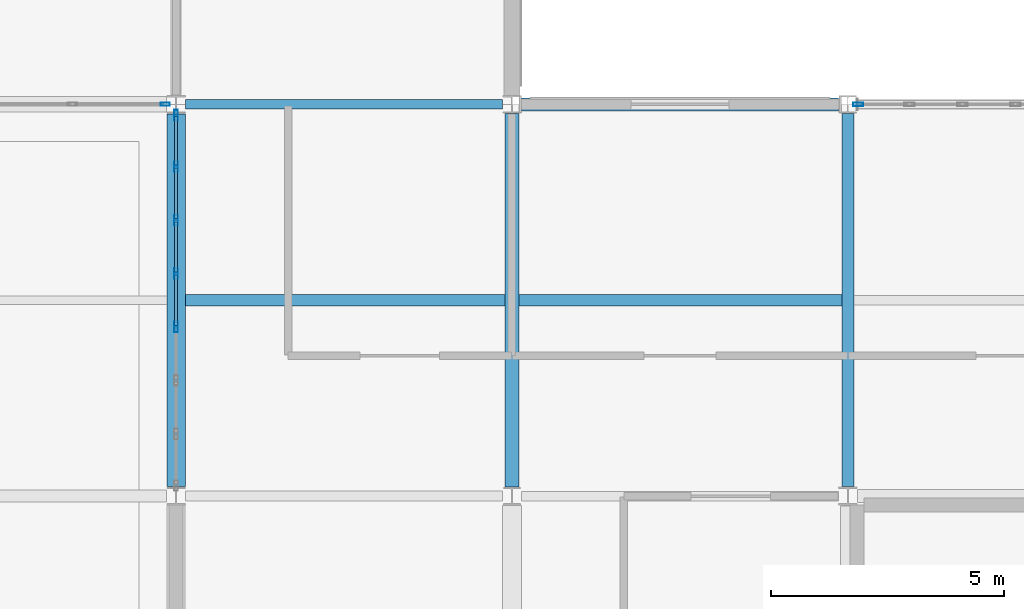
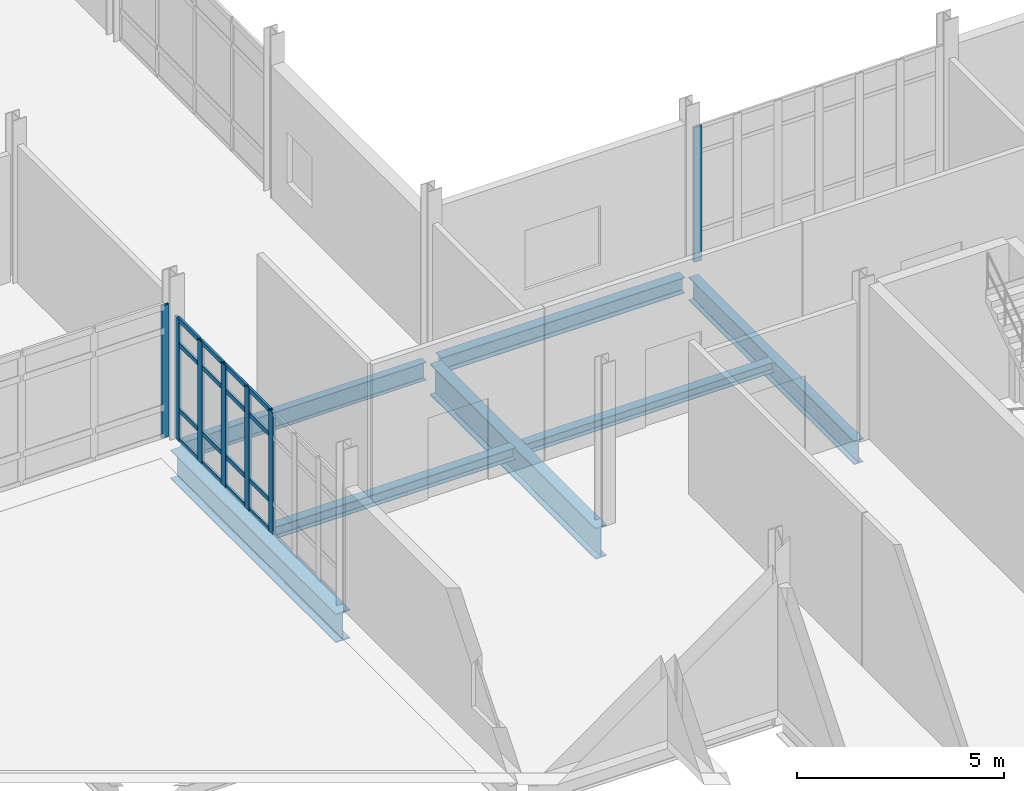
# One storey, part 70 of 186: 23 members, 7 beams, 3 elements without a shape of their own.
"""IFC4 building model written with IfcOpenShell, lengths in metres."""

import ifcopenshell
import ifcopenshell.guid

model = None  # the IFC model being written
_history = None  # IfcOwnerHistory: only IFC2X3 demands one
_inside = {}  # id of a spatial element -> (the spatial element, [elements in it])
_under = {}  # id of a project, library or spatial element -> (it, [spatial elements below it])
_declared = {}  # id of a project -> (the project, [libraries it declares])
_typed = {}  # id of a type object -> (the type object, [elements of that type])
_made_of = {}  # id of a material, layer set ... -> (it, [elements and type objects made of it])


def new_model(schema):
    """Start an empty IFC model of exactly this schema.

    Asked for "IFC4X3", IfcOpenShell would pick the latest addendum, in which some entities
    have other attributes; the version numbers below select the first issue.
    IFC2X3 requires an IfcOwnerHistory on every rooted entity: one is made here for all.
    """
    global model, _history
    if schema == "IFC4X3":
        model = ifcopenshell.file(schema_version=(4, 3, 0, 0))
    else:
        model = ifcopenshell.file(schema=schema)
    _inside.clear()
    _under.clear()
    _declared.clear()
    _typed.clear()
    _made_of.clear()
    _history = None
    if model.schema == "IFC2X3":
        org = make("IfcOrganization", Name="unknown")
        user = make(
            "IfcPersonAndOrganization",
            ThePerson=make("IfcPerson", FamilyName="unknown"),
            TheOrganization=org,
        )
        app = make(
            "IfcApplication",
            ApplicationDeveloper=org,
            Version="unknown",
            ApplicationFullName="unknown",
            ApplicationIdentifier="unknown",
        )
        _history = make(
            "IfcOwnerHistory",
            OwningUser=user,
            OwningApplication=app,
            ChangeAction="ADDED",
            CreationDate=0,
        )
    return model


def make(cls, **values):
    """One entity of the class cls with the attributes given. An attribute that is None is left unset."""
    return model.create_entity(
        cls, **{name: value for name, value in values.items() if value is not None}
    )


def rooted(cls, **values):
    """An entity with a GlobalId (a new one), such as an element, a storey or a relation."""
    return make(cls, GlobalId=ifcopenshell.guid.new(), OwnerHistory=_history, **values)


def si_unit(unit_type, name, prefix=None):
    """IfcSIUnit, for example si_unit("LENGTHUNIT", "METRE", prefix="MILLI")."""
    return make("IfcSIUnit", UnitType=unit_type, Prefix=prefix, Name=name)


def assignment(units):
    """IfcUnitAssignment: the units of a project."""
    return None if units is None else make("IfcUnitAssignment", Units=units)


def point(xyz):
    """IfcCartesianPoint."""
    return None if xyz is None else make("IfcCartesianPoint", Coordinates=xyz)


def direction(xyz):
    """IfcDirection."""
    return None if xyz is None else make("IfcDirection", DirectionRatios=xyz)


def frame(location, z_axis=None, x_axis=None):
    """IfcAxis2Placement3D, a coordinate frame: its origin and axes. An axis left out is left unset."""
    return make(
        "IfcAxis2Placement3D",
        Location=point(location),
        Axis=direction(z_axis),
        RefDirection=direction(x_axis),
    )


def frame_2d(location, x_axis=None):
    """IfcAxis2Placement2D, a coordinate frame in the plane: its origin and x axis."""
    return make(
        "IfcAxis2Placement2D", Location=point(location), RefDirection=direction(x_axis)
    )


def origin():
    """The frame at (0, 0, 0) with its axes left unset."""
    return frame((0.0, 0.0, 0.0))


def origin_2d():
    """The frame at (0, 0) in the plane with its x axis left unset."""
    return frame_2d((0.0, 0.0))


def place(relative_to, where):
    """IfcLocalPlacement: puts the frame where relative to a parent placement (None: the world)."""
    return make(
        "IfcLocalPlacement", PlacementRelTo=relative_to, RelativePlacement=where
    )


def context(
    kind, dimensions, precision=None, world=None, true_north=None, identifier=None
):
    """IfcGeometricRepresentationContext, for example the 3D "Model" context."""
    return make(
        "IfcGeometricRepresentationContext",
        ContextIdentifier=identifier,
        ContextType=kind,
        CoordinateSpaceDimension=dimensions,
        Precision=precision,
        WorldCoordinateSystem=world,
        TrueNorth=true_north,
    )


def subcontext(parent, identifier, kind, view, scale=None):
    """IfcGeometricRepresentationSubContext, for example "Body" below "Model"."""
    return make(
        "IfcGeometricRepresentationSubContext",
        ContextIdentifier=identifier,
        ContextType=kind,
        ParentContext=parent,
        TargetScale=scale,
        TargetView=view,
    )


def project(units=None, contexts=None):
    """IfcProject with its units and contexts."""
    return rooted(
        "IfcProject",
        Name="project",
        RepresentationContexts=contexts,
        UnitsInContext=assignment(units),
    )


def spatial(cls, under=None, at=None, **own):
    """A site, building, storey or space (cls), placed at a placement, below another one or the project."""
    s = rooted(cls, ObjectPlacement=at, **own)
    if under is not None:
        _under.setdefault(under.id(), (under, []))[1].append(s)
    return s


def profile(cls, at=None, kind="AREA", **sizes):
    """A parametric profile (cls). Its sizes go by their IFC names, for example OverallWidth=200.0."""
    return make(cls, ProfileType=kind, Position=at, **sizes)


def hollow_rectangle(**sizes):
    """IfcRectangleHollowProfileDef."""
    return profile("IfcRectangleHollowProfileDef", **sizes)


def i_section(**sizes):
    """IfcIShapeProfileDef."""
    return profile("IfcIShapeProfileDef", **sizes)


def extrude(swept, where, along, depth):
    """IfcExtrudedAreaSolid: the profile swept, set in the frame where, extruded along a direction by depth."""
    return make(
        "IfcExtrudedAreaSolid",
        SweptArea=swept,
        Position=where,
        ExtrudedDirection=direction(along),
        Depth=depth,
    )


def shape(context_of_items, identifier, shape_type, items):
    """IfcShapeRepresentation: the items that make up one representation, for example the "Body"."""
    return make(
        "IfcShapeRepresentation",
        ContextOfItems=context_of_items,
        RepresentationIdentifier=identifier,
        RepresentationType=shape_type,
        Items=items,
    )


def material(Name=None, Category=None):
    """IfcMaterial."""
    return make("IfcMaterial", Name=Name, Category=Category)


def layer(
    of_material, thickness, ventilated=None, Name=None, Category=None, Priority=None
):
    """IfcMaterialLayer: one layer of a wall or slab, of a material (None: an air gap)."""
    return make(
        "IfcMaterialLayer",
        Material=of_material,
        LayerThickness=thickness,
        IsVentilated=ventilated,
        Name=Name,
        Category=Category,
        Priority=Priority,
    )


def layer_set(layers, Name=None):
    """IfcMaterialLayerSet."""
    return make("IfcMaterialLayerSet", MaterialLayers=layers, LayerSetName=Name)


def material_profile(
    of_material, cross_section, Name=None, Category=None, Priority=None
):
    """IfcMaterialProfile: a cross section and its material."""
    return make(
        "IfcMaterialProfile",
        Name=Name,
        Material=of_material,
        Profile=cross_section,
        Priority=Priority,
        Category=Category,
    )


def profile_set(profiles, Name=None, composite=None):
    """IfcMaterialProfileSet."""
    return make(
        "IfcMaterialProfileSet",
        Name=Name,
        MaterialProfiles=profiles,
        CompositeProfile=composite,
    )


def made_of(thing, what):
    """Note that an element or type object is made of a material, layer set ...; save() writes the relation."""
    if what is not None:
        _made_of.setdefault(what.id(), (what, []))[1].append(thing)
    return thing


def type_object(cls, material=None, **own):
    """A type object (cls), such as IfcWallType, which elements share."""
    return made_of(rooted(cls, **own), material)


def element(
    cls,
    number,
    at=None,
    inside=None,
    cuts=None,
    type_object=None,
    material=None,
    context=None,
    identifier="Body",
    shape_type=None,
    held_by="IfcProductDefinitionShape",
    body=None,
    shapes=None,
    **own,
):
    """One element of the class cls, such as IfcWall. Its Tag is "e" and its number.

    at: its placement. inside: the storey or other place that contains it. cuts: it is an
    opening in that element (IfcRelVoidsElement). A single representation is given by context,
    identifier, shape_type and body (its items); several are given by shapes. held_by: the class
    of the entity that holds the representations. save() writes the other relations.
    """
    e = rooted(cls, Tag="e%d" % number, ObjectPlacement=at, **own)
    if body is not None:
        shapes = [shape(context, identifier, shape_type, body)]
    if shapes is not None:
        e.Representation = make(held_by, Representations=shapes)
    if inside is not None:
        _inside.setdefault(inside.id(), (inside, []))[1].append(e)
    if cuts is not None:
        rooted(
            "IfcRelVoidsElement", RelatingBuildingElement=cuts, RelatedOpeningElement=e
        )
    if type_object is not None:
        _typed.setdefault(type_object.id(), (type_object, []))[1].append(e)
    return made_of(e, material)


def aggregate(whole, parts):
    """IfcRelAggregates: a whole, such as a stair, and the parts it consists of."""
    return rooted("IfcRelAggregates", RelatingObject=whole, RelatedObjects=parts)


def save(model, path):
    """Write the relations noted so far, then the file.

    IfcRelAggregates (storeys below a building ...), IfcRelContainedInSpatialStructure (elements
    in a storey), IfcRelDefinesByType, IfcRelAssociatesMaterial and IfcRelDeclares: one each for
    every whole, place, type object, material and project.
    """
    for whole, parts in _under.values():
        aggregate(whole, parts)
    for where, things in _inside.values():
        rooted(
            "IfcRelContainedInSpatialStructure",
            RelatedElements=things,
            RelatingStructure=where,
        )
    for kind, things in _typed.values():
        rooted("IfcRelDefinesByType", RelatedObjects=things, RelatingType=kind)
    for what, things in _made_of.values():
        rooted("IfcRelAssociatesMaterial", RelatedObjects=things, RelatingMaterial=what)
    for by, libraries in _declared.values():
        rooted("IfcRelDeclares", RelatingContext=by, RelatedDefinitions=libraries)
    model.write(path)


model = new_model("IFC4")

# Units and contexts
model_context = context("Model", 3, precision=1e-05, world=origin(), true_north=direction((0.0, 1.0)))
body_context = subcontext(model_context, "Body", "Model", "MODEL_VIEW")
ifc_project = project(units=[si_unit("LENGTHUNIT", "METRE"), si_unit("AREAUNIT", "SQUARE_METRE"), si_unit("VOLUMEUNIT", "CUBIC_METRE"), si_unit("PLANEANGLEUNIT", "RADIAN"), si_unit("MASSUNIT", "GRAM", prefix="KILO")], contexts=[model_context])

# Site, building, storey
site_placement = place(None, origin())
site = spatial("IfcSite", under=ifc_project, at=site_placement, CompositionType="ELEMENT")
building_placement = place(site_placement, origin())
building = spatial("IfcBuilding", under=site, at=building_placement, Name="Calvrana Isthmian Art Gallery", CompositionType="ELEMENT")
storey_placement = place(building_placement, frame((0.0, 0.0, 5.39990234375)))
storey = spatial("IfcBuildingStorey", under=building, at=storey_placement, Name="L01", CompositionType="ELEMENT", Elevation=5.39990234375)

# Beams
ifc_material_1 = material(Name="Steel ASTM A992 Gr 50", Category="steel")
ifc_material_profile_1 = material_profile(ifc_material_1, i_section(OverallWidth=0.279052734375, OverallDepth=0.4619140625, WebThickness=0.0107421875, FlangeThickness=0.017333984375, FilletRadius=0.02001953125, at=origin_2d()), Name="W18X76")
ifc_profile_set_1 = profile_set([ifc_material_profile_1], Name="Steel ASTM A992 Gr 50")
beam_type_1 = type_object("IfcBeamType", Name="BM-G-W18X76", PredefinedType="BEAM", material=ifc_profile_set_1)
beam_1_placement = place(storey_placement, frame((120.200439453125, 46.800048828125, -0.495849609375), z_axis=(1.0, 0.0, 0.0), x_axis=(0.0, 1.0, 0.0)))
element("IfcBeam", 1, at=beam_1_placement, inside=storey, type_object=beam_type_1, Name="Girder X L01 16-17/G", PredefinedType="BEAM", context=body_context, shape_type="SweptSolid", body=[
    extrude(i_section(OverallWidth=0.279052734375, OverallDepth=0.4619140625, WebThickness=0.0107421875, FlangeThickness=0.017333984375, FilletRadius=0.02001953125, at=origin_2d()), origin(), (0.0, 0.0, 1.0), 6.800048828125),
])
ifc_material_profile_2 = material_profile(ifc_material_1, i_section(OverallWidth=0.208984375, OverallDepth=0.532958984375, WebThickness=0.01025390625, FlangeThickness=0.015625, FilletRadius=0.02099609375, at=origin_2d()), Name="W21X62")
ifc_profile_set_2 = profile_set([ifc_material_profile_2], Name="Steel ASTM A992 Gr 50")
beam_type_2 = type_object("IfcBeamType", Name="BM-G-W21X62", PredefinedType="BEAM", material=ifc_profile_set_2)
beam_2_placement = place(storey_placement, frame((113.0029296875, 46.800048828125, -0.531494140625), z_axis=(1.0, 0.0, 0.0), x_axis=(0.0, 1.0, 0.0)))
element("IfcBeam", 2, at=beam_2_placement, inside=storey, type_object=beam_type_2, Name="Girder X L01 15-16/G", PredefinedType="BEAM", context=body_context, shape_type="SweptSolid", body=[
    extrude(i_section(OverallWidth=0.208984375, OverallDepth=0.532958984375, WebThickness=0.01025390625, FlangeThickness=0.015625, FilletRadius=0.02099609375, at=origin_2d()), origin(), (0.0, 0.0, 1.0), 6.796630859375),
])
ifc_material_profile_3 = material_profile(ifc_material_1, i_section(OverallWidth=0.257080078125, OverallDepth=0.693115234375, WebThickness=0.014404296875, FlangeThickness=0.023681640625, FilletRadius=0.02392578125, at=origin_2d()), Name="W27X114")
ifc_profile_set_3 = profile_set([ifc_material_profile_3], Name="Steel ASTM A992 Gr 50")
beam_type_3 = type_object("IfcBeamType", Name="BM-G-W27X114", PredefinedType="BEAM", material=ifc_profile_set_3)
beam_3_placement = place(storey_placement, frame((127.199951171875, 38.6083984375, -0.59130859375), z_axis=(0.0, 1.0, 0.0), x_axis=(-1.0, 0.0, 0.0)))
element("IfcBeam", 3, at=beam_3_placement, inside=storey, type_object=beam_type_3, Name="Girder Y L01 17/F-G", PredefinedType="BEAM", context=body_context, shape_type="SweptSolid", body=[
    extrude(i_section(OverallWidth=0.257080078125, OverallDepth=0.693115234375, WebThickness=0.014404296875, FlangeThickness=0.023681640625, FilletRadius=0.02392578125, at=origin_2d()), origin(), (0.0, 0.0, 1.0), 7.99853515625),
])
ifc_material_profile_4 = material_profile(ifc_material_1, i_section(OverallWidth=0.40087890625, OverallDepth=0.85595703125, WebThickness=0.018310546875, FlangeThickness=0.029296875, FilletRadius=0.02587890625, at=origin_2d()), Name="W33X201")
ifc_profile_set_4 = profile_set([ifc_material_profile_4], Name="Steel ASTM A992 Gr 50")
beam_type_4 = type_object("IfcBeamType", Name="BM-G-W33X201", PredefinedType="BEAM", material=ifc_profile_set_4)
beam_4_placement = place(storey_placement, frame((112.800048828125, 38.60302734375, -0.69287109375), z_axis=(0.0, 1.0, 0.0), x_axis=(-1.0, 0.0, 0.0)))
element("IfcBeam", 4, at=beam_4_placement, inside=storey, type_object=beam_type_4, Name="Girder Y L01 15/F-G", PredefinedType="BEAM", context=body_context, shape_type="SweptSolid", body=[
    extrude(i_section(OverallWidth=0.40087890625, OverallDepth=0.85595703125, WebThickness=0.018310546875, FlangeThickness=0.029296875, FilletRadius=0.02587890625, at=origin_2d()), origin(), (0.0, 0.0, 1.0), 7.988525390625),
])
ifc_material_profile_5 = material_profile(ifc_material_1, i_section(OverallWidth=0.306884765625, OverallDepth=0.927001953125, WebThickness=0.019287109375, FlangeThickness=0.031982421875, FilletRadius=0.028076171875, at=origin_2d()), Name="W36X194")
ifc_profile_set_5 = profile_set([ifc_material_profile_5], Name="Steel ASTM A992 Gr 50")
beam_type_5 = type_object("IfcBeamType", Name="BM-G-W36X194", PredefinedType="BEAM", material=ifc_profile_set_5)
beam_5_placement = place(storey_placement, frame((120.0, 38.596923828125, -0.728515625), z_axis=(0.0, 1.0, 0.0), x_axis=(-1.0, 0.0, 0.0)))
element("IfcBeam", 5, at=beam_5_placement, inside=storey, type_object=beam_type_5, Name="Girder Y L01 16/F-G", PredefinedType="BEAM", context=body_context, shape_type="SweptSolid", body=[
    extrude(i_section(OverallWidth=0.306884765625, OverallDepth=0.927001953125, WebThickness=0.019287109375, FlangeThickness=0.031982421875, FilletRadius=0.028076171875, at=origin_2d()), origin(), (0.0, 0.0, 1.0), 8.003662109375),
])
ifc_material_profile_6 = material_profile(ifc_material_1, i_section(OverallWidth=0.25390625, OverallDepth=0.306884765625, WebThickness=0.0087890625, FlangeThickness=0.0146484375, FilletRadius=0.01611328125, at=origin_2d()), Name="W12X53")
ifc_profile_set_6 = profile_set([ifc_material_profile_6], Name="Steel ASTM A992 Gr 50")
beam_type_6 = type_object("IfcBeamType", Name="BM-J-W12X53", PredefinedType="JOIST", material=ifc_profile_set_6)
beam_6_placement = place(storey_placement, frame((120.153564453125, 42.60009765625, -0.3984375), z_axis=(1.0, 0.0, 0.0), x_axis=(0.0, 1.0, 0.0)))
element("IfcBeam", 6, at=beam_6_placement, inside=storey, type_object=beam_type_6, Name="Composite joist L01 bay 15-05", PredefinedType="JOIST", context=body_context, shape_type="SweptSolid", body=[
    extrude(i_section(OverallWidth=0.25390625, OverallDepth=0.306884765625, WebThickness=0.0087890625, FlangeThickness=0.0146484375, FilletRadius=0.01611328125, at=origin_2d()), origin(), (0.0, 0.0, 1.0), 6.91796875),
])
ifc_material_profile_7 = material_profile(ifc_material_1, i_section(OverallWidth=0.25390625, OverallDepth=0.35302734375, WebThickness=0.009521484375, FlangeThickness=0.016357421875, FilletRadius=0.01806640625, at=origin_2d()), Name="W14X61")
ifc_profile_set_7 = profile_set([ifc_material_profile_7], Name="Steel ASTM A992 Gr 50")
beam_type_7 = type_object("IfcBeamType", Name="BM-J-W14X61", PredefinedType="JOIST", material=ifc_profile_set_7)
beam_7_placement = place(storey_placement, frame((113.00048828125, 42.60009765625, -0.42138671875), z_axis=(1.0, 0.0, 0.0), x_axis=(0.0, 1.0, 0.0)))
element("IfcBeam", 7, at=beam_7_placement, inside=storey, type_object=beam_type_7, Name="Composite joist L01 bay 14-05", PredefinedType="JOIST", context=body_context, shape_type="SweptSolid", body=[
    extrude(i_section(OverallWidth=0.25390625, OverallDepth=0.35302734375, WebThickness=0.009521484375, FlangeThickness=0.016357421875, FilletRadius=0.01806640625, at=origin_2d()), origin(), (0.0, 0.0, 1.0), 6.845947265625),
])

# Curtain wall, member
ifc_material_2 = material(Name="Anodized bronze aluminium 6063-T6", Category="aluminium")
ifc_layer_1 = layer(ifc_material_2, 0.179931640625, Name="Anodized bronze aluminium 6063-T6")
ifc_layer_set_1 = layer_set([ifc_layer_1], Name="Anodized bronze aluminium 6063-T6")
curtain_wall_type_1 = type_object("IfcCurtainWallType", Name="CW-UNIT-081X39", PredefinedType="USERDEFINED", material=ifc_layer_set_1)
curtain_wall_1_placement = place(storey_placement, origin())
curtain_wall_1 = element("IfcCurtainWall", 8, at=curtain_wall_1_placement, inside=storey, type_object=curtain_wall_type_1, Name="Curtain wall CW-099", ObjectType="UNITISED CURTAIN WALL", PredefinedType="USERDEFINED")
ifc_material_profile_8 = material_profile(ifc_material_2, hollow_rectangle(XDim=0.070068359375, YDim=0.199951171875, WallThickness=0.0048828125, at=origin_2d()), Name="CWM70X200")
ifc_profile_set_8 = profile_set([ifc_material_profile_8], Name="Anodized bronze aluminium 6063-T6")
member_type_1 = type_object("IfcMemberType", Name="CWM-CWM70X200", PredefinedType="MULLION", material=ifc_profile_set_8)
member_1_placement = place(storey_placement, frame((112.56689453125, 46.800048828125, 0.0), z_axis=(0.0, 0.0, 1.0), x_axis=(0.0, -1.0, 0.0)))
member_1 = element("IfcMember", 9, at=member_1_placement, type_object=member_type_1, Name="CW-099 mullion 1", PredefinedType="MULLION", context=body_context, shape_type="SweptSolid", body=[
    extrude(hollow_rectangle(XDim=0.070068359375, YDim=0.199951171875, WallThickness=0.0048828125, at=origin_2d()), origin(), (0.0, 0.0, 1.0), 3.908203125),
])
aggregate(curtain_wall_1, [member_1])

ifc_layer_2 = layer(ifc_material_2, 0.179931640625, Name="Anodized bronze aluminium 6063-T6")
ifc_layer_set_2 = layer_set([ifc_layer_2], Name="Anodized bronze aluminium 6063-T6")
curtain_wall_type_2 = type_object("IfcCurtainWallType", Name="CW-UNIT-068X40", PredefinedType="USERDEFINED", material=ifc_layer_set_2)
curtain_wall_2_placement = place(storey_placement, origin())
curtain_wall_2 = element("IfcCurtainWall", 10, at=curtain_wall_2_placement, inside=storey, type_object=curtain_wall_type_2, Name="Curtain wall CW-100", ObjectType="UNITISED CURTAIN WALL", PredefinedType="USERDEFINED")
ifc_material_profile_9 = material_profile(ifc_material_2, hollow_rectangle(XDim=0.074951171875, YDim=0.219970703125, WallThickness=0.0048828125, at=origin_2d()), Name="CWM75X220")
ifc_profile_set_9 = profile_set([ifc_material_profile_9], Name="Anodized bronze aluminium 6063-T6")
member_type_2 = type_object("IfcMemberType", Name="CWM-CWM75X220", PredefinedType="MULLION", material=ifc_profile_set_9)
member_2_placement = place(storey_placement, frame((127.424072265625, 46.800048828125, 0.0), z_axis=(0.0, 0.0, 1.0), x_axis=(0.0, 1.0, 0.0)))
member_2 = element("IfcMember", 11, at=member_2_placement, type_object=member_type_2, Name="CW-100 mullion 1", PredefinedType="MULLION", context=body_context, shape_type="SweptSolid", body=[
    extrude(hollow_rectangle(XDim=0.074951171875, YDim=0.219970703125, WallThickness=0.0048828125, at=origin_2d()), origin(), (0.0, 0.0, 1.0), 3.97119140625),
])
aggregate(curtain_wall_2, [member_2])

# Curtain wall, members
ifc_layer_3 = layer(ifc_material_2, 0.179931640625, Name="Anodized bronze aluminium 6063-T6")
ifc_layer_set_3 = layer_set([ifc_layer_3], Name="Anodized bronze aluminium 6063-T6")
curtain_wall_type_3 = type_object("IfcCurtainWallType", Name="CW-UNIT-080X36", PredefinedType="USERDEFINED", material=ifc_layer_set_3)
curtain_wall_3_placement = place(storey_placement, origin())
curtain_wall_3 = element("IfcCurtainWall", 12, at=curtain_wall_3_placement, inside=storey, type_object=curtain_wall_type_3, Name="Curtain wall CW-136", ObjectType="UNITISED CURTAIN WALL", PredefinedType="USERDEFINED")
member_3_placement = place(storey_placement, frame((112.800048828125, 42.02587890625, 0.0), z_axis=(0.0, 0.0, 1.0), x_axis=(-1.0, 0.0, 0.0)))
member_3 = element("IfcMember", 13, at=member_3_placement, type_object=member_type_2, Name="CW-136 mullion 4", PredefinedType="MULLION", context=body_context, shape_type="SweptSolid", body=[
    extrude(hollow_rectangle(XDim=0.074951171875, YDim=0.219970703125, WallThickness=0.0048828125, at=origin_2d()), origin(), (0.0, 0.0, 1.0), 3.593017578125),
])
member_4_placement = place(storey_placement, frame((112.800048828125, 43.171630859375, 0.0), z_axis=(0.0, 0.0, 1.0), x_axis=(-1.0, 0.0, 0.0)))
member_4 = element("IfcMember", 14, at=member_4_placement, type_object=member_type_2, Name="CW-136 mullion 5", PredefinedType="MULLION", context=body_context, shape_type="SweptSolid", body=[
    extrude(hollow_rectangle(XDim=0.074951171875, YDim=0.219970703125, WallThickness=0.0048828125, at=origin_2d()), origin(), (0.0, 0.0, 1.0), 3.593017578125),
])
member_5_placement = place(storey_placement, frame((112.800048828125, 44.317626953125, 0.0), z_axis=(0.0, 0.0, 1.0), x_axis=(-1.0, 0.0, 0.0)))
member_5 = element("IfcMember", 15, at=member_5_placement, type_object=member_type_2, Name="CW-136 mullion 6", PredefinedType="MULLION", context=body_context, shape_type="SweptSolid", body=[
    extrude(hollow_rectangle(XDim=0.074951171875, YDim=0.219970703125, WallThickness=0.0048828125, at=origin_2d()), origin(), (0.0, 0.0, 1.0), 3.593017578125),
])
member_6_placement = place(storey_placement, frame((112.800048828125, 45.463623046875, 0.0), z_axis=(0.0, 0.0, 1.0), x_axis=(-1.0, 0.0, 0.0)))
member_6 = element("IfcMember", 16, at=member_6_placement, type_object=member_type_2, Name="CW-136 mullion 7", PredefinedType="MULLION", context=body_context, shape_type="SweptSolid", body=[
    extrude(hollow_rectangle(XDim=0.074951171875, YDim=0.219970703125, WallThickness=0.0048828125, at=origin_2d()), origin(), (0.0, 0.0, 1.0), 3.593017578125),
])
member_7_placement = place(storey_placement, frame((112.800048828125, 46.572021484375, 0.0), z_axis=(0.0, 0.0, 1.0), x_axis=(-1.0, 0.0, 0.0)))
member_7 = element("IfcMember", 17, at=member_7_placement, type_object=member_type_2, Name="CW-136 mullion 8", PredefinedType="MULLION", context=body_context, shape_type="SweptSolid", body=[
    extrude(hollow_rectangle(XDim=0.074951171875, YDim=0.219970703125, WallThickness=0.0048828125, at=origin_2d()), origin(), (0.0, 0.0, 1.0), 3.593017578125),
])
ifc_material_profile_10 = material_profile(ifc_material_2, hollow_rectangle(XDim=0.06005859375, YDim=0.1298828125, WallThickness=0.00390625, at=origin_2d()), Name="CWT60X130")
ifc_profile_set_10 = profile_set([ifc_material_profile_10], Name="Anodized bronze aluminium 6063-T6")
member_type_3 = type_object("IfcMemberType", Name="CWT-CWT60X130", PredefinedType="USERDEFINED", material=ifc_profile_set_10)
member_8_placement = place(storey_placement, frame((112.800048828125, 42.063232421875, 0.030029296875), z_axis=(0.0, 1.0, 0.0), x_axis=(-1.0, 0.0, 0.0)))
member_8 = element("IfcMember", 18, at=member_8_placement, type_object=member_type_3, Name="CW-136 transom 4.1", ObjectType="TRANSOM", PredefinedType="USERDEFINED", context=body_context, shape_type="SweptSolid", body=[
    extrude(hollow_rectangle(XDim=0.06005859375, YDim=0.1298828125, WallThickness=0.00390625, at=origin_2d()), origin(), (0.0, 0.0, 1.0), 1.071044921875),
])
member_9_placement = place(storey_placement, frame((112.800048828125, 42.063232421875, 0.900146484375), z_axis=(0.0, 1.0, 0.0), x_axis=(-1.0, 0.0, 0.0)))
member_9 = element("IfcMember", 19, at=member_9_placement, type_object=member_type_3, Name="CW-136 transom 4.2", ObjectType="TRANSOM", PredefinedType="USERDEFINED", context=body_context, shape_type="SweptSolid", body=[
    extrude(hollow_rectangle(XDim=0.06005859375, YDim=0.1298828125, WallThickness=0.00390625, at=origin_2d()), origin(), (0.0, 0.0, 1.0), 1.071044921875),
])
member_10_placement = place(storey_placement, frame((112.800048828125, 42.063232421875, 2.843017578125), z_axis=(0.0, 1.0, 0.0), x_axis=(-1.0, 0.0, 0.0)))
member_10 = element("IfcMember", 20, at=member_10_placement, type_object=member_type_3, Name="CW-136 transom 4.3", ObjectType="TRANSOM", PredefinedType="USERDEFINED", context=body_context, shape_type="SweptSolid", body=[
    extrude(hollow_rectangle(XDim=0.06005859375, YDim=0.1298828125, WallThickness=0.00390625, at=origin_2d()), origin(), (0.0, 0.0, 1.0), 1.071044921875),
])
member_11_placement = place(storey_placement, frame((112.800048828125, 42.063232421875, 3.56298828125), z_axis=(0.0, 1.0, 0.0), x_axis=(-1.0, 0.0, 0.0)))
member_11 = element("IfcMember", 21, at=member_11_placement, type_object=member_type_3, Name="CW-136 transom 4.4", ObjectType="TRANSOM", PredefinedType="USERDEFINED", context=body_context, shape_type="SweptSolid", body=[
    extrude(hollow_rectangle(XDim=0.06005859375, YDim=0.1298828125, WallThickness=0.00390625, at=origin_2d()), origin(), (0.0, 0.0, 1.0), 1.071044921875),
])
member_12_placement = place(storey_placement, frame((112.800048828125, 43.209228515625, 0.030029296875), z_axis=(0.0, 1.0, 0.0), x_axis=(-1.0, 0.0, 0.0)))
member_12 = element("IfcMember", 22, at=member_12_placement, type_object=member_type_3, Name="CW-136 transom 5.1", ObjectType="TRANSOM", PredefinedType="USERDEFINED", context=body_context, shape_type="SweptSolid", body=[
    extrude(hollow_rectangle(XDim=0.06005859375, YDim=0.1298828125, WallThickness=0.00390625, at=origin_2d()), origin(), (0.0, 0.0, 1.0), 1.07080078125),
])
member_13_placement = place(storey_placement, frame((112.800048828125, 43.209228515625, 0.900146484375), z_axis=(0.0, 1.0, 0.0), x_axis=(-1.0, 0.0, 0.0)))
member_13 = element("IfcMember", 23, at=member_13_placement, type_object=member_type_3, Name="CW-136 transom 5.2", ObjectType="TRANSOM", PredefinedType="USERDEFINED", context=body_context, shape_type="SweptSolid", body=[
    extrude(hollow_rectangle(XDim=0.06005859375, YDim=0.1298828125, WallThickness=0.00390625, at=origin_2d()), origin(), (0.0, 0.0, 1.0), 1.07080078125),
])
member_14_placement = place(storey_placement, frame((112.800048828125, 43.209228515625, 2.843017578125), z_axis=(0.0, 1.0, 0.0), x_axis=(-1.0, 0.0, 0.0)))
member_14 = element("IfcMember", 24, at=member_14_placement, type_object=member_type_3, Name="CW-136 transom 5.3", ObjectType="TRANSOM", PredefinedType="USERDEFINED", context=body_context, shape_type="SweptSolid", body=[
    extrude(hollow_rectangle(XDim=0.06005859375, YDim=0.1298828125, WallThickness=0.00390625, at=origin_2d()), origin(), (0.0, 0.0, 1.0), 1.07080078125),
])
member_15_placement = place(storey_placement, frame((112.800048828125, 43.209228515625, 3.56298828125), z_axis=(0.0, 1.0, 0.0), x_axis=(-1.0, 0.0, 0.0)))
member_15 = element("IfcMember", 25, at=member_15_placement, type_object=member_type_3, Name="CW-136 transom 5.4", ObjectType="TRANSOM", PredefinedType="USERDEFINED", context=body_context, shape_type="SweptSolid", body=[
    extrude(hollow_rectangle(XDim=0.06005859375, YDim=0.1298828125, WallThickness=0.00390625, at=origin_2d()), origin(), (0.0, 0.0, 1.0), 1.07080078125),
])
member_16_placement = place(storey_placement, frame((112.800048828125, 44.355224609375, 0.030029296875), z_axis=(0.0, 1.0, 0.0), x_axis=(-1.0, 0.0, 0.0)))
member_16 = element("IfcMember", 26, at=member_16_placement, type_object=member_type_3, Name="CW-136 transom 6.1", ObjectType="TRANSOM", PredefinedType="USERDEFINED", context=body_context, shape_type="SweptSolid", body=[
    extrude(hollow_rectangle(XDim=0.06005859375, YDim=0.1298828125, WallThickness=0.00390625, at=origin_2d()), origin(), (0.0, 0.0, 1.0), 1.07080078125),
])
member_17_placement = place(storey_placement, frame((112.800048828125, 44.355224609375, 0.900146484375), z_axis=(0.0, 1.0, 0.0), x_axis=(-1.0, 0.0, 0.0)))
member_17 = element("IfcMember", 27, at=member_17_placement, type_object=member_type_3, Name="CW-136 transom 6.2", ObjectType="TRANSOM", PredefinedType="USERDEFINED", context=body_context, shape_type="SweptSolid", body=[
    extrude(hollow_rectangle(XDim=0.06005859375, YDim=0.1298828125, WallThickness=0.00390625, at=origin_2d()), origin(), (0.0, 0.0, 1.0), 1.07080078125),
])
member_18_placement = place(storey_placement, frame((112.800048828125, 44.355224609375, 2.843017578125), z_axis=(0.0, 1.0, 0.0), x_axis=(-1.0, 0.0, 0.0)))
member_18 = element("IfcMember", 28, at=member_18_placement, type_object=member_type_3, Name="CW-136 transom 6.3", ObjectType="TRANSOM", PredefinedType="USERDEFINED", context=body_context, shape_type="SweptSolid", body=[
    extrude(hollow_rectangle(XDim=0.06005859375, YDim=0.1298828125, WallThickness=0.00390625, at=origin_2d()), origin(), (0.0, 0.0, 1.0), 1.07080078125),
])
member_19_placement = place(storey_placement, frame((112.800048828125, 44.355224609375, 3.56298828125), z_axis=(0.0, 1.0, 0.0), x_axis=(-1.0, 0.0, 0.0)))
member_19 = element("IfcMember", 29, at=member_19_placement, type_object=member_type_3, Name="CW-136 transom 6.4", ObjectType="TRANSOM", PredefinedType="USERDEFINED", context=body_context, shape_type="SweptSolid", body=[
    extrude(hollow_rectangle(XDim=0.06005859375, YDim=0.1298828125, WallThickness=0.00390625, at=origin_2d()), origin(), (0.0, 0.0, 1.0), 1.07080078125),
])
member_20_placement = place(storey_placement, frame((112.800048828125, 45.5009765625, 0.030029296875), z_axis=(0.0, 1.0, 0.0), x_axis=(-1.0, 0.0, 0.0)))
member_20 = element("IfcMember", 30, at=member_20_placement, type_object=member_type_3, Name="CW-136 transom 7.1", ObjectType="TRANSOM", PredefinedType="USERDEFINED", context=body_context, shape_type="SweptSolid", body=[
    extrude(hollow_rectangle(XDim=0.06005859375, YDim=0.1298828125, WallThickness=0.00390625, at=origin_2d()), origin(), (0.0, 0.0, 1.0), 1.033447265625),
])
member_21_placement = place(storey_placement, frame((112.800048828125, 45.5009765625, 0.900146484375), z_axis=(0.0, 1.0, 0.0), x_axis=(-1.0, 0.0, 0.0)))
member_21 = element("IfcMember", 31, at=member_21_placement, type_object=member_type_3, Name="CW-136 transom 7.2", ObjectType="TRANSOM", PredefinedType="USERDEFINED", context=body_context, shape_type="SweptSolid", body=[
    extrude(hollow_rectangle(XDim=0.06005859375, YDim=0.1298828125, WallThickness=0.00390625, at=origin_2d()), origin(), (0.0, 0.0, 1.0), 1.033447265625),
])
member_22_placement = place(storey_placement, frame((112.800048828125, 45.5009765625, 2.843017578125), z_axis=(0.0, 1.0, 0.0), x_axis=(-1.0, 0.0, 0.0)))
member_22 = element("IfcMember", 32, at=member_22_placement, type_object=member_type_3, Name="CW-136 transom 7.3", ObjectType="TRANSOM", PredefinedType="USERDEFINED", context=body_context, shape_type="SweptSolid", body=[
    extrude(hollow_rectangle(XDim=0.06005859375, YDim=0.1298828125, WallThickness=0.00390625, at=origin_2d()), origin(), (0.0, 0.0, 1.0), 1.033447265625),
])
member_23_placement = place(storey_placement, frame((112.800048828125, 45.5009765625, 3.56298828125), z_axis=(0.0, 1.0, 0.0), x_axis=(-1.0, 0.0, 0.0)))
member_23 = element("IfcMember", 33, at=member_23_placement, type_object=member_type_3, Name="CW-136 transom 7.4", ObjectType="TRANSOM", PredefinedType="USERDEFINED", context=body_context, shape_type="SweptSolid", body=[
    extrude(hollow_rectangle(XDim=0.06005859375, YDim=0.1298828125, WallThickness=0.00390625, at=origin_2d()), origin(), (0.0, 0.0, 1.0), 1.033447265625),
])
aggregate(curtain_wall_3, [member_3, member_4, member_5, member_6, member_7, member_8, member_9, member_10, member_11, member_12, member_13, member_14, member_15, member_16, member_17, member_18, member_19, member_20, member_21, member_22, member_23])

save(model, "model.ifc")
